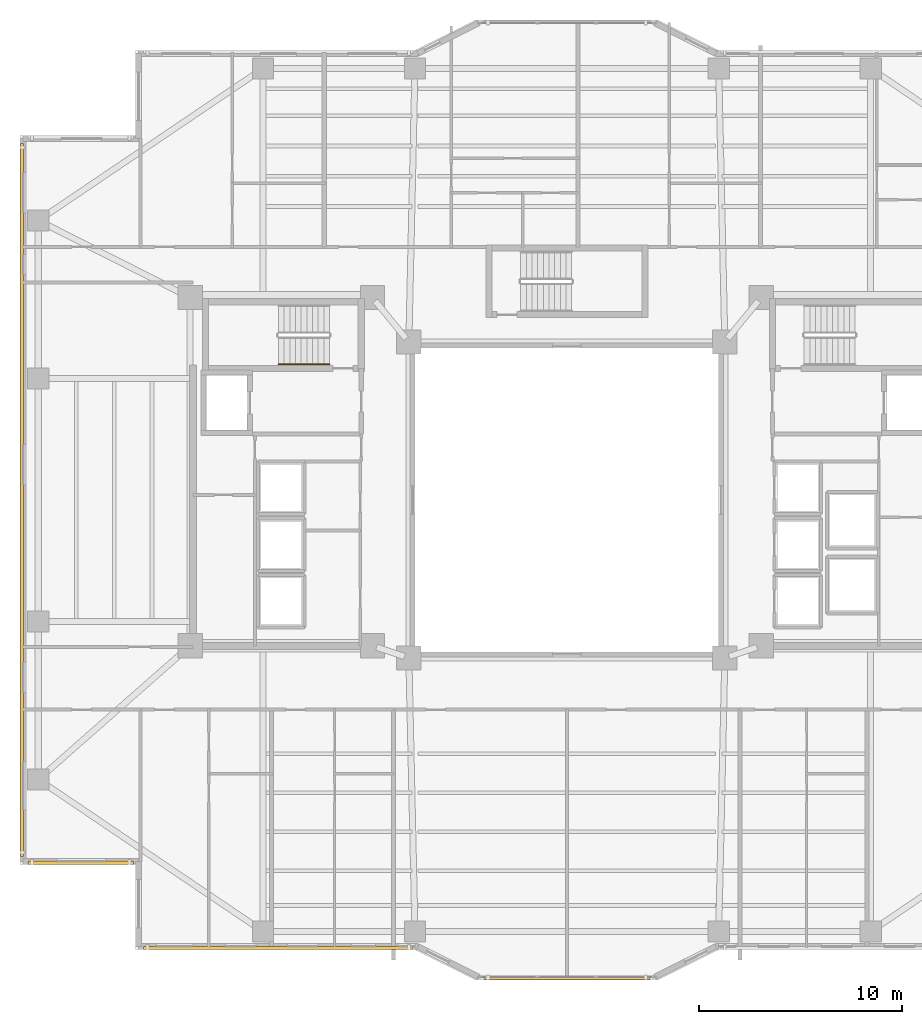
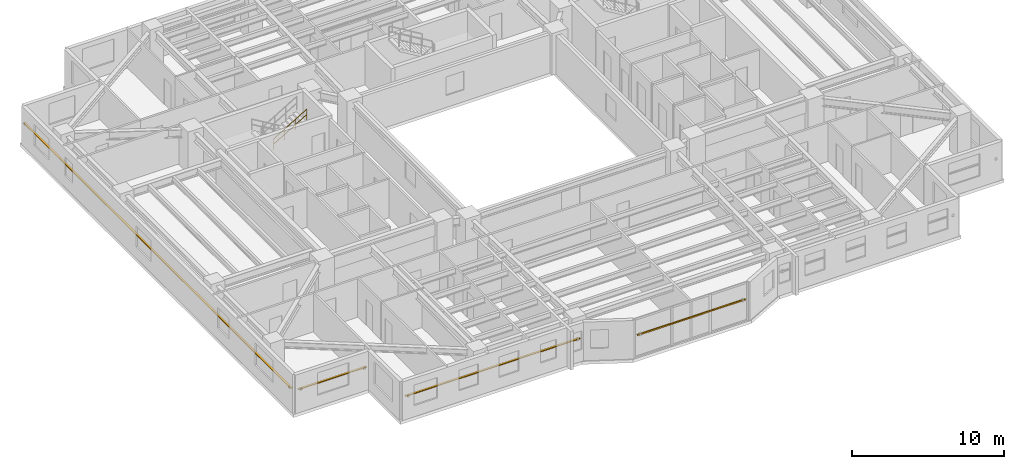
# One storey, part 14 of 18: 4 shading devices, 1 railing.
"""IFC4 building model written with IfcOpenShell, lengths in metres."""

import ifcopenshell
import ifcopenshell.guid

model = None  # the IFC model being written
_history = None  # IfcOwnerHistory: only IFC2X3 demands one
_inside = {}  # id of a spatial element -> (the spatial element, [elements in it])
_under = {}  # id of a project, library or spatial element -> (it, [spatial elements below it])
_declared = {}  # id of a project -> (the project, [libraries it declares])
_typed = {}  # id of a type object -> (the type object, [elements of that type])
_made_of = {}  # id of a material, layer set ... -> (it, [elements and type objects made of it])


def new_model(schema):
    """Start an empty IFC model of exactly this schema.

    Asked for "IFC4X3", IfcOpenShell would pick the latest addendum, in which some entities
    have other attributes; the version numbers below select the first issue.
    IFC2X3 requires an IfcOwnerHistory on every rooted entity: one is made here for all.
    """
    global model, _history
    if schema == "IFC4X3":
        model = ifcopenshell.file(schema_version=(4, 3, 0, 0))
    else:
        model = ifcopenshell.file(schema=schema)
    _inside.clear()
    _under.clear()
    _declared.clear()
    _typed.clear()
    _made_of.clear()
    _history = None
    if model.schema == "IFC2X3":
        org = make("IfcOrganization", Name="unknown")
        user = make(
            "IfcPersonAndOrganization",
            ThePerson=make("IfcPerson", FamilyName="unknown"),
            TheOrganization=org,
        )
        app = make(
            "IfcApplication",
            ApplicationDeveloper=org,
            Version="unknown",
            ApplicationFullName="unknown",
            ApplicationIdentifier="unknown",
        )
        _history = make(
            "IfcOwnerHistory",
            OwningUser=user,
            OwningApplication=app,
            ChangeAction="ADDED",
            CreationDate=0,
        )
    return model


def make(cls, **values):
    """One entity of the class cls with the attributes given. An attribute that is None is left unset."""
    return model.create_entity(
        cls, **{name: value for name, value in values.items() if value is not None}
    )


def rooted(cls, **values):
    """An entity with a GlobalId (a new one), such as an element, a storey or a relation."""
    return make(cls, GlobalId=ifcopenshell.guid.new(), OwnerHistory=_history, **values)


def si_unit(unit_type, name, prefix=None):
    """IfcSIUnit, for example si_unit("LENGTHUNIT", "METRE", prefix="MILLI")."""
    return make("IfcSIUnit", UnitType=unit_type, Prefix=prefix, Name=name)


def assignment(units):
    """IfcUnitAssignment: the units of a project."""
    return None if units is None else make("IfcUnitAssignment", Units=units)


def point(xyz):
    """IfcCartesianPoint."""
    return None if xyz is None else make("IfcCartesianPoint", Coordinates=xyz)


def direction(xyz):
    """IfcDirection."""
    return None if xyz is None else make("IfcDirection", DirectionRatios=xyz)


def frame(location, z_axis=None, x_axis=None):
    """IfcAxis2Placement3D, a coordinate frame: its origin and axes. An axis left out is left unset."""
    return make(
        "IfcAxis2Placement3D",
        Location=point(location),
        Axis=direction(z_axis),
        RefDirection=direction(x_axis),
    )


def frame_2d(location, x_axis=None):
    """IfcAxis2Placement2D, a coordinate frame in the plane: its origin and x axis."""
    return make(
        "IfcAxis2Placement2D", Location=point(location), RefDirection=direction(x_axis)
    )


def origin():
    """The frame at (0, 0, 0) with its axes left unset."""
    return frame((0.0, 0.0, 0.0))


def origin_2d():
    """The frame at (0, 0) in the plane with its x axis left unset."""
    return frame_2d((0.0, 0.0))


def place(relative_to, where):
    """IfcLocalPlacement: puts the frame where relative to a parent placement (None: the world)."""
    return make(
        "IfcLocalPlacement", PlacementRelTo=relative_to, RelativePlacement=where
    )


def context(
    kind, dimensions, precision=None, world=None, true_north=None, identifier=None
):
    """IfcGeometricRepresentationContext, for example the 3D "Model" context."""
    return make(
        "IfcGeometricRepresentationContext",
        ContextIdentifier=identifier,
        ContextType=kind,
        CoordinateSpaceDimension=dimensions,
        Precision=precision,
        WorldCoordinateSystem=world,
        TrueNorth=true_north,
    )


def subcontext(parent, identifier, kind, view, scale=None):
    """IfcGeometricRepresentationSubContext, for example "Body" below "Model"."""
    return make(
        "IfcGeometricRepresentationSubContext",
        ContextIdentifier=identifier,
        ContextType=kind,
        ParentContext=parent,
        TargetScale=scale,
        TargetView=view,
    )


def project(units=None, contexts=None):
    """IfcProject with its units and contexts."""
    return rooted(
        "IfcProject",
        Name="project",
        RepresentationContexts=contexts,
        UnitsInContext=assignment(units),
    )


def spatial(cls, under=None, at=None, **own):
    """A site, building, storey or space (cls), placed at a placement, below another one or the project."""
    s = rooted(cls, ObjectPlacement=at, **own)
    if under is not None:
        _under.setdefault(under.id(), (under, []))[1].append(s)
    return s


def profile(cls, at=None, kind="AREA", **sizes):
    """A parametric profile (cls). Its sizes go by their IFC names, for example OverallWidth=200.0."""
    return make(cls, ProfileType=kind, Position=at, **sizes)


def rectangle(**sizes):
    """IfcRectangleProfileDef."""
    return profile("IfcRectangleProfileDef", **sizes)


def circle(**sizes):
    """IfcCircleProfileDef."""
    return profile("IfcCircleProfileDef", **sizes)


def extrude(swept, where, along, depth):
    """IfcExtrudedAreaSolid: the profile swept, set in the frame where, extruded along a direction by depth."""
    return make(
        "IfcExtrudedAreaSolid",
        SweptArea=swept,
        Position=where,
        ExtrudedDirection=direction(along),
        Depth=depth,
    )


def shape(context_of_items, identifier, shape_type, items):
    """IfcShapeRepresentation: the items that make up one representation, for example the "Body"."""
    return make(
        "IfcShapeRepresentation",
        ContextOfItems=context_of_items,
        RepresentationIdentifier=identifier,
        RepresentationType=shape_type,
        Items=items,
    )


def material(Name=None, Category=None):
    """IfcMaterial."""
    return make("IfcMaterial", Name=Name, Category=Category)


def material_profile(
    of_material, cross_section, Name=None, Category=None, Priority=None
):
    """IfcMaterialProfile: a cross section and its material."""
    return make(
        "IfcMaterialProfile",
        Name=Name,
        Material=of_material,
        Profile=cross_section,
        Priority=Priority,
        Category=Category,
    )


def profile_set(profiles, Name=None, composite=None):
    """IfcMaterialProfileSet."""
    return make(
        "IfcMaterialProfileSet",
        Name=Name,
        MaterialProfiles=profiles,
        CompositeProfile=composite,
    )


def made_of(thing, what):
    """Note that an element or type object is made of a material, layer set ...; save() writes the relation."""
    if what is not None:
        _made_of.setdefault(what.id(), (what, []))[1].append(thing)
    return thing


def type_object(cls, material=None, **own):
    """A type object (cls), such as IfcWallType, which elements share."""
    return made_of(rooted(cls, **own), material)


def element(
    cls,
    number,
    at=None,
    inside=None,
    cuts=None,
    type_object=None,
    material=None,
    context=None,
    identifier="Body",
    shape_type=None,
    held_by="IfcProductDefinitionShape",
    body=None,
    shapes=None,
    **own,
):
    """One element of the class cls, such as IfcWall. Its Tag is "e" and its number.

    at: its placement. inside: the storey or other place that contains it. cuts: it is an
    opening in that element (IfcRelVoidsElement). A single representation is given by context,
    identifier, shape_type and body (its items); several are given by shapes. held_by: the class
    of the entity that holds the representations. save() writes the other relations.
    """
    e = rooted(cls, Tag="e%d" % number, ObjectPlacement=at, **own)
    if body is not None:
        shapes = [shape(context, identifier, shape_type, body)]
    if shapes is not None:
        e.Representation = make(held_by, Representations=shapes)
    if inside is not None:
        _inside.setdefault(inside.id(), (inside, []))[1].append(e)
    if cuts is not None:
        rooted(
            "IfcRelVoidsElement", RelatingBuildingElement=cuts, RelatedOpeningElement=e
        )
    if type_object is not None:
        _typed.setdefault(type_object.id(), (type_object, []))[1].append(e)
    return made_of(e, material)


def aggregate(whole, parts):
    """IfcRelAggregates: a whole, such as a stair, and the parts it consists of."""
    return rooted("IfcRelAggregates", RelatingObject=whole, RelatedObjects=parts)


def save(model, path):
    """Write the relations noted so far, then the file.

    IfcRelAggregates (storeys below a building ...), IfcRelContainedInSpatialStructure (elements
    in a storey), IfcRelDefinesByType, IfcRelAssociatesMaterial and IfcRelDeclares: one each for
    every whole, place, type object, material and project.
    """
    for whole, parts in _under.values():
        aggregate(whole, parts)
    for where, things in _inside.values():
        rooted(
            "IfcRelContainedInSpatialStructure",
            RelatedElements=things,
            RelatingStructure=where,
        )
    for kind, things in _typed.values():
        rooted("IfcRelDefinesByType", RelatedObjects=things, RelatingType=kind)
    for what, things in _made_of.values():
        rooted("IfcRelAssociatesMaterial", RelatedObjects=things, RelatingMaterial=what)
    for by, libraries in _declared.values():
        rooted("IfcRelDeclares", RelatingContext=by, RelatedDefinitions=libraries)
    model.write(path)


model = new_model("IFC4")

# Units and contexts
model_context = context("Model", 3, precision=1e-05, world=origin(), true_north=direction((0.0, 1.0)))
body_context = subcontext(model_context, "Body", "Model", "MODEL_VIEW")
ifc_project = project(units=[si_unit("LENGTHUNIT", "METRE"), si_unit("AREAUNIT", "SQUARE_METRE"), si_unit("VOLUMEUNIT", "CUBIC_METRE"), si_unit("PLANEANGLEUNIT", "RADIAN"), si_unit("MASSUNIT", "GRAM", prefix="KILO")], contexts=[model_context])

# Site, building, storey
site_placement = place(None, origin())
site = spatial("IfcSite", under=ifc_project, at=site_placement, CompositionType="ELEMENT")
building_placement = place(site_placement, origin())
building = spatial("IfcBuilding", under=site, at=building_placement, Name="Tarnavaz Court Tower", CompositionType="ELEMENT")
storey_placement = place(building_placement, frame((0.0, 0.0, 98.39990234375)))
storey = spatial("IfcBuildingStorey", under=building, at=storey_placement, Name="L26", CompositionType="ELEMENT", Elevation=98.39990234375)

# Railing
ifc_material_1 = material(Name="Brushed Stainless Steel", Category="steel")
railing_type = type_object("IfcRailingType", Name="RL-HANDRAIL-900", PredefinedType="HANDRAIL", material=ifc_material_1)
railing_placement = place(storey_placement, frame((-14.239990234375, 6.699951171875, 1.842529296875)))
element("IfcRailing", 1, at=railing_placement, inside=storey, type_object=railing_type, Name="L26 ST-W1 stair handrail 2", PredefinedType="HANDRAIL", context=body_context, shape_type="SweptSolid", body=[
    extrude(circle(Radius=0.02392578125, at=origin_2d()), frame((0.0, 0.0, 0.8759765625), z_axis=(0.858159760407, 0.0, 0.513382728203), x_axis=(0.0, 1.0, 0.0)), (0.0, 0.0, 1.0), 2.9365234375),
    extrude(circle(Radius=0.02392578125, at=origin_2d()), frame((0.0, 0.0, 0.449951171875), z_axis=(0.858159760407, 0.0, 0.513382728203), x_axis=(0.0, 1.0, 0.0)), (0.0, 0.0, 1.0), 2.9365234375),
    extrude(circle(Radius=0.02099609375, at=origin_2d()), origin(), (0.0, 0.0, 1.0), 0.851806640625),
    extrude(circle(Radius=0.02099609375, at=origin_2d()), frame((0.840087890625, 0.0, 0.50244140625)), (0.0, 0.0, 1.0), 0.851806640625),
    extrude(circle(Radius=0.02099609375, at=origin_2d()), frame((1.679931640625, 0.0, 1.005126953125)), (0.0, 0.0, 1.0), 0.851806640625),
    extrude(circle(Radius=0.02099609375, at=origin_2d()), frame((2.52001953125, 0.0, 1.507568359375)), (0.0, 0.0, 1.0), 0.851806640625),
])

# Shading devices
ifc_material_2 = material(Name="Kiln-Fired Khorasan Terracotta Ceramic", Category="masonry")
ifc_material_profile_1 = material_profile(ifc_material_2, rectangle(XDim=0.1201171875, YDim=0.06005859375, at=origin_2d()), Name="TC BAGUETTE 120X60")
ifc_profile_set_1 = profile_set([ifc_material_profile_1], Name="Kiln-Fired Khorasan Terracotta Ceramic")
shading_device_type_1 = type_object("IfcShadingDeviceType", Name="SD-BAG-120", PredefinedType="USERDEFINED", material=ifc_profile_set_1)
shading_device_1_placement = place(storey_placement, frame((4.10009765625, -23.610107421875, 1.800048828125), z_axis=(-1.0, 0.0, 0.0), x_axis=(0.0, -1.0, 0.0)))
element("IfcShadingDevice", 2, at=shading_device_1_placement, inside=storey, type_object=shading_device_type_1, Name="L26 Terracotta Baguette Screen PBG17", ObjectType="BAGUETTE", PredefinedType="USERDEFINED", context=body_context, shape_type="SweptSolid", body=[
    extrude(rectangle(XDim=0.1201171875, YDim=0.06005859375, at=origin_2d()), origin(), (0.0, 0.0, 1.0), 8.2001953125),
])
ifc_material_profile_2 = material_profile(ifc_material_2, rectangle(XDim=0.14990234375, YDim=0.06494140625, at=origin_2d()), Name="TC BAGUETTE 150X65")
ifc_profile_set_2 = profile_set([ifc_material_profile_2], Name="Kiln-Fired Khorasan Terracotta Ceramic")
shading_device_type_2 = type_object("IfcShadingDeviceType", Name="SD-BAG-150", PredefinedType="USERDEFINED", material=ifc_profile_set_2)
shading_device_2_placement = place(storey_placement, frame((-21.39990234375, -17.909912109375, 1.85009765625), z_axis=(-1.0, 0.0, 0.0), x_axis=(0.0, -1.0, 0.0)))
element("IfcShadingDevice", 3, at=shading_device_2_placement, inside=storey, type_object=shading_device_type_2, Name="L26 Terracotta Baguette Screen FBG01", ObjectType="BAGUETTE", PredefinedType="USERDEFINED", context=body_context, shape_type="SweptSolid", body=[
    extrude(rectangle(XDim=0.14990234375, YDim=0.06494140625, at=origin_2d()), origin(), (0.0, 0.0, 1.0), 5.2001953125),
])
shading_device_3_placement = place(storey_placement, frame((-26.909912109375, -17.60009765625, 1.85009765625), z_axis=(0.0, 1.0, 0.0), x_axis=(-1.0, 0.0, 0.0)))
element("IfcShadingDevice", 4, at=shading_device_3_placement, inside=storey, type_object=shading_device_type_2, Name="L26 Terracotta Baguette Screen FBG02", ObjectType="BAGUETTE", PredefinedType="USERDEFINED", context=body_context, shape_type="SweptSolid", body=[
    extrude(rectangle(XDim=0.14990234375, YDim=0.06494140625, at=origin_2d()), origin(), (0.0, 0.0, 1.0), 35.2001953125),
])
shading_device_4_placement = place(storey_placement, frame((-7.60009765625, -22.110107421875, 1.85009765625), z_axis=(-1.0, 0.0, 0.0), x_axis=(0.0, -1.0, 0.0)))
element("IfcShadingDevice", 5, at=shading_device_4_placement, inside=storey, type_object=shading_device_type_2, Name="L26 Terracotta Baguette Screen FBG19", ObjectType="BAGUETTE", PredefinedType="USERDEFINED", context=body_context, shape_type="SweptSolid", body=[
    extrude(rectangle(XDim=0.14990234375, YDim=0.06494140625, at=origin_2d()), origin(), (0.0, 0.0, 1.0), 13.2998046875),
])

save(model, "model.ifc")
